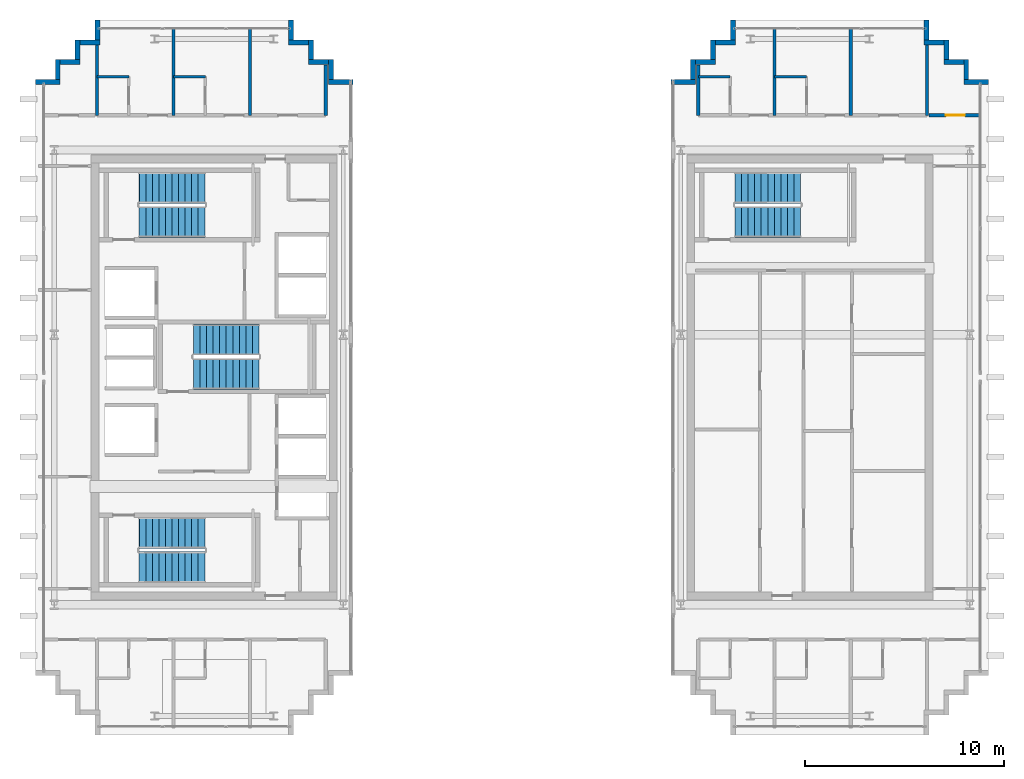
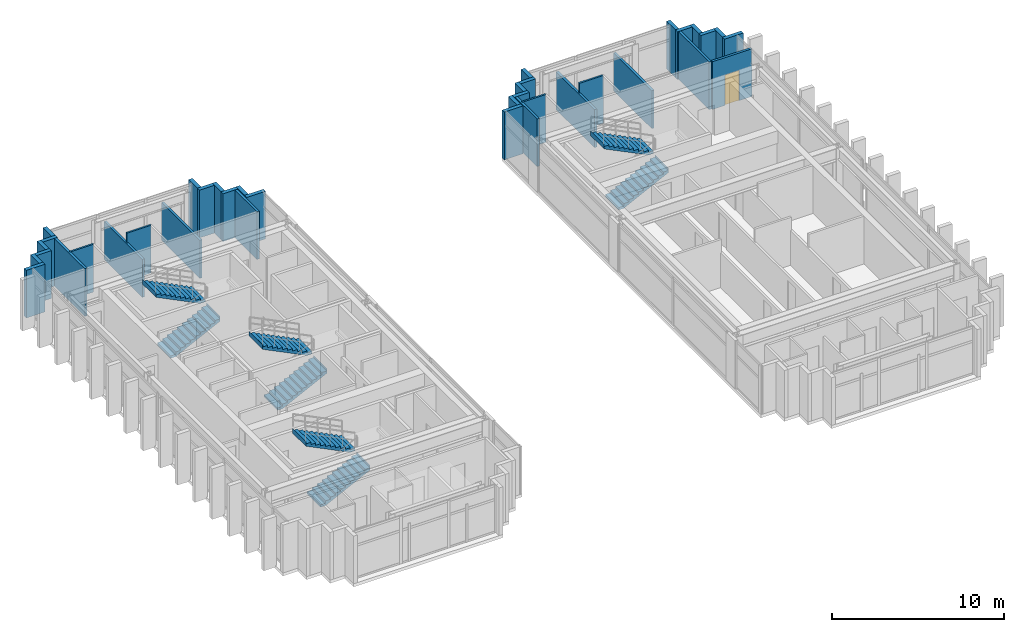
# One storey, part 23 of 25: 37 walls, 8 stair flights, 1 door, 1 opening, 4 elements without a shape of their own.
"""IFC4 building model written with IfcOpenShell, lengths in metres."""

from ifc_helpers import new_model, si_unit, direction, frame, frame_2d, origin, place, context, subcontext, project, spatial, polyline, rectangle, outline, extrude, source, transform, mapped, material, layer, layer_set, type_object, element, fill, aggregate, save


model = new_model("IFC4")

# Units and contexts
model_context = context("Model", 3, precision=1e-05, world=origin(), true_north=direction((0.0, 1.0)))
body_context = subcontext(model_context, "Body", "Model", "MODEL_VIEW")
ifc_project = project(units=[si_unit("LENGTHUNIT", "METRE"), si_unit("AREAUNIT", "SQUARE_METRE"), si_unit("VOLUMEUNIT", "CUBIC_METRE"), si_unit("PLANEANGLEUNIT", "RADIAN"), si_unit("MASSUNIT", "GRAM", prefix="KILO")], contexts=[model_context])

# Site, building, storey
site_placement = place(None, origin())
site = spatial("IfcSite", under=ifc_project, at=site_placement, CompositionType="ELEMENT")
building_placement = place(site_placement, origin())
building = spatial("IfcBuilding", under=site, at=building_placement, Name="Ocotamira Hotel", CompositionType="ELEMENT")
storey_placement = place(building_placement, frame((0.0, 0.0, 265.199951171875)))
storey = spatial("IfcBuildingStorey", under=building, at=storey_placement, Name="L67", CompositionType="ELEMENT", Elevation=265.199951171875)

# Walls
ifc_material_1 = material(Name="Precast concrete C45/55", Category="concrete")
ifc_layer_1 = layer(ifc_material_1, 0.25)
ifc_layer_set_1 = layer_set([ifc_layer_1], Name="Precast concrete C45/55")
wall_type_1 = type_object("IfcWallType", Name="WL-EXT-SER-250", PredefinedType="SOLIDWALL", material=ifc_layer_set_1)
wall_1_placement = place(storey_placement, frame((24.0, 40.875, 0.0), z_axis=(0.0, 0.0, 1.0), x_axis=(-1.0, 0.0, 0.0)))
element("IfcWall", 1, at=wall_1_placement, inside=storey, type_object=wall_type_1, Name="L67 -W Serrated Corner Wall 07", PredefinedType="SOLIDWALL", context=body_context, shape_type="SweptSolid", body=[
    extrude(rectangle(XDim=1.25, YDim=0.25, at=frame_2d((0.625, 0.0))), origin(), (0.0, 0.0, 1.0), 3.380126953125),
])
for number, where, z_axis, x_axis, name in (
    (2, (22.875, 41.0, 0.0), (0.0, 0.0, 1.0), (0.0, 1.0, 0.0), "L67 -W Serrated Corner Wall 08"),
    (3, (22.75, 41.875, 0.0), (0.0, 0.0, 1.0), (-1.0, 0.0, 0.0), "L67 -W Serrated Corner Wall 09"),
    (4, (21.875, 42.0, 0.0), (0.0, 0.0, 1.0), (0.0, 1.0, 0.0), "L67 -W Serrated Corner Wall 10"),
    (5, (21.75, 42.875, 0.0), (0.0, 0.0, 1.0), (-1.0, 0.0, 0.0), "L67 -W Serrated Corner Wall 11"),
    (6, (20.875, 43.0, 0.0), (0.0, 0.0, 1.0), (0.0, 1.0, 0.0), "L67 -W Serrated Corner Wall 12"),
    (7, (11.125, 44.0, 0.0), (0.0, 0.0, 1.0), (0.0, -1.0, 0.0), "L67 -W Serrated Corner Wall 13"),
    (8, (11.25, 42.875, 0.0), (0.0, 0.0, 1.0), (-1.0, 0.0, 0.0), "L67 -W Serrated Corner Wall 14"),
    (9, (10.125, 43.0, 0.0), (0.0, 0.0, 1.0), (0.0, -1.0, 0.0), "L67 -W Serrated Corner Wall 15"),
    (10, (10.25, 41.875, 0.0), (0.0, 0.0, 1.0), (-1.0, 0.0, 0.0), "L67 -W Serrated Corner Wall 16"),
    (11, (9.125, 42.0, 0.0), (0.0, 0.0, 1.0), (0.0, -1.0, 0.0), "L67 -W Serrated Corner Wall 17"),
):
    element("IfcWall", number, at=place(storey_placement, frame(where, z_axis=z_axis, x_axis=x_axis)), inside=storey, type_object=wall_type_1, Name=name, PredefinedType="SOLIDWALL", context=body_context, shape_type="SweptSolid", body=[
        extrude(rectangle(XDim=1.0, YDim=0.25, at=frame_2d((0.5, 0.0))), origin(), (0.0, 0.0, 1.0), 3.380126953125),
    ])
for number, where, z_axis, x_axis, name in (
    (12, (9.25, 40.875, 0.0), (0.0, 0.0, 1.0), (-1.0, 0.0, 0.0), "L67 -W Serrated Corner Wall 18"),
    (13, (56.0, 40.875, 0.0), (0.0, 0.0, 1.0), (-1.0, 0.0, 0.0), "L67 -E Serrated Corner Wall 07"),
):
    element("IfcWall", number, at=place(storey_placement, frame(where, z_axis=z_axis, x_axis=x_axis)), inside=storey, type_object=wall_type_1, Name=name, PredefinedType="SOLIDWALL", context=body_context, shape_type="SweptSolid", body=[
        extrude(rectangle(XDim=1.25, YDim=0.25, at=frame_2d((0.625, 0.0))), origin(), (0.0, 0.0, 1.0), 3.380126953125),
    ])
for number, where, z_axis, x_axis, name in (
    (14, (54.875, 41.0, 0.0), (0.0, 0.0, 1.0), (0.0, 1.0, 0.0), "L67 -E Serrated Corner Wall 08"),
    (15, (54.75, 41.875, 0.0), (0.0, 0.0, 1.0), (-1.0, 0.0, 0.0), "L67 -E Serrated Corner Wall 09"),
    (16, (53.875, 42.0, 0.0), (0.0, 0.0, 1.0), (0.0, 1.0, 0.0), "L67 -E Serrated Corner Wall 10"),
    (17, (53.75, 42.875, 0.0), (0.0, 0.0, 1.0), (-1.0, 0.0, 0.0), "L67 -E Serrated Corner Wall 11"),
    (18, (52.875, 43.0, 0.0), (0.0, 0.0, 1.0), (0.0, 1.0, 0.0), "L67 -E Serrated Corner Wall 12"),
    (19, (43.125, 44.0, 0.0), (0.0, 0.0, 1.0), (0.0, -1.0, 0.0), "L67 -E Serrated Corner Wall 13"),
    (20, (43.25, 42.875, 0.0), (0.0, 0.0, 1.0), (-1.0, 0.0, 0.0), "L67 -E Serrated Corner Wall 14"),
    (21, (42.125, 43.0, 0.0), (0.0, 0.0, 1.0), (0.0, -1.0, 0.0), "L67 -E Serrated Corner Wall 15"),
    (22, (42.25, 41.875, 0.0), (0.0, 0.0, 1.0), (-1.0, 0.0, 0.0), "L67 -E Serrated Corner Wall 16"),
    (23, (41.125, 42.0, 0.0), (0.0, 0.0, 1.0), (0.0, -1.0, 0.0), "L67 -E Serrated Corner Wall 17"),
):
    element("IfcWall", number, at=place(storey_placement, frame(where, z_axis=z_axis, x_axis=x_axis)), inside=storey, type_object=wall_type_1, Name=name, PredefinedType="SOLIDWALL", context=body_context, shape_type="SweptSolid", body=[
        extrude(rectangle(XDim=1.0, YDim=0.25, at=frame_2d((0.5, 0.0))), origin(), (0.0, 0.0, 1.0), 3.380126953125),
    ])
wall_2_placement = place(storey_placement, frame((41.25, 40.875, 0.0), z_axis=(0.0, 0.0, 1.0), x_axis=(-1.0, 0.0, 0.0)))
element("IfcWall", 24, at=wall_2_placement, inside=storey, type_object=wall_type_1, Name="L67 -E Serrated Corner Wall 18", PredefinedType="SOLIDWALL", context=body_context, shape_type="SweptSolid", body=[
    extrude(rectangle(XDim=1.25, YDim=0.25, at=frame_2d((0.625, 0.0))), origin(), (0.0, 0.0, 1.0), 3.380126953125),
])

# Wall, opening, door
ifc_material_2 = material(Name="Acoustic double-layer fire gypsum board partition", Category="gypsum")
ifc_layer_2 = layer(ifc_material_2, 0.159912109375)
ifc_layer_set_2 = layer_set([ifc_layer_2], Name="Acoustic double-layer fire gypsum board partition")
wall_type_2 = type_object("IfcWallType", Name="WL-FIRE-160", PredefinedType="PARTITIONING", material=ifc_layer_set_2)
wall_3_placement = place(storey_placement, frame((53.0, 39.199951171875, 0.0), z_axis=(0.0, 0.0, 1.0), x_axis=(1.0, 0.0, 0.0)))
wall_3 = element("IfcWall", 25, at=wall_3_placement, inside=storey, type_object=wall_type_2, Name="L67 Interior Wall PW-L67-SPCNE2-CW", PredefinedType="PARTITIONING", context=body_context, shape_type="SweptSolid", body=[
    extrude(rectangle(XDim=2.64990234375, YDim=0.159912109375, at=frame_2d((1.324951171875, 0.0))), origin(), (0.0, 0.0, 1.0), 3.380126953125),
])
opening_placement = place(wall_3_placement, frame((0.844970703125, 0.0, 0.0)))
opening = element("IfcOpeningElement", 26, at=opening_placement, cuts=wall_3, Name="Opening D-SV4", PredefinedType="OPENING", context=body_context, shape_type="SweptSolid", body=[
    extrude(rectangle(XDim=0.9599609375, YDim=2.14990234375, at=frame_2d((0.47998046875, 1.074951171875))), frame((0.0, 0.08984375, 0.0), z_axis=(0.0, -1.0, 0.0), x_axis=(1.0, 0.0, 0.0)), (0.0, 0.0, 1.0), 0.179931640625),
])
ifc_material_3 = material(Name="Fire-rated accessible walnut salon door", Category="wood")
door_type = type_object("IfcDoorType", Name="DR-SERV-960", OperationType="NOTDEFINED", PredefinedType="DOOR", material=ifc_material_3)
shared_shape_1 = source(origin(), body_context, "Body", "SweptSolid", [
    extrude(rectangle(XDim=0.9599609375, YDim=2.14990234375, at=frame_2d((0.47998046875, 1.074951171875))), frame((0.0, 0.02490234375, 0.0), z_axis=(0.0, -1.0, 0.0), x_axis=(1.0, 0.0, 0.0)), (0.0, 0.0, 1.0), 0.050048828125),
])
door_placement = place(opening_placement, origin())
door = element("IfcDoor", 27, at=door_placement, inside=storey, type_object=door_type, Name="L67 Door ID-L67-SPCNE2-CD [ID-L67-SPCNE2-CD]", OperationType="SINGLE_SWING_LEFT", OverallHeight=2.14990234375, OverallWidth=0.9599609375, PredefinedType="DOOR", context=body_context, shape_type="MappedRepresentation", body=[
    mapped(shared_shape_1, transform((0.0, 0.0, 0.0), scale=1.0)),
])
fill(opening, door)

# Walls
ifc_material_4 = material(Name="Moisture-resistant en-suite tile and gypsum partition", Category="gypsum")
ifc_layer_3 = layer(ifc_material_4, 0.1201171875)
ifc_layer_set_3 = layer_set([ifc_layer_3], Name="Moisture-resistant en-suite tile and gypsum partition")
wall_type_3 = type_object("IfcWallType", Name="WL-PART-120", PredefinedType="PARTITIONING", material=ifc_layer_set_3)
wall_4_placement = place(storey_placement, frame((11.10009765625, 41.14990234375, 0.0), z_axis=(0.0, 0.0, 1.0), x_axis=(1.0, 0.0, 0.0)))
element("IfcWall", 28, at=wall_4_placement, inside=storey, type_object=wall_type_3, Name="L67 Interior Wall PW-L67-SPW2N-BAN1", PredefinedType="PARTITIONING", context=body_context, shape_type="SweptSolid", body=[
    extrude(rectangle(XDim=1.60986328125, YDim=0.1201171875, at=frame_2d((0.804931640625, 0.0))), origin(), (0.0, 0.0, 1.0), 3.380126953125),
])
for number, where, z_axis, x_axis, name in (
    (29, (14.949951171875, 41.14990234375, 0.0), (0.0, 0.0, 1.0), (1.0, 0.0, 0.0), "L67 Interior Wall PW-L67-SPW2N-BAN2"),
    (30, (41.3798828125, 41.14990234375, 0.0), (0.0, 0.0, 1.0), (1.0, 0.0, 0.0), "L67 Interior Wall PW-L67-SPE2N-BAN1"),
    (31, (45.219970703125, 41.14990234375, 0.0), (0.0, 0.0, 1.0), (1.0, 0.0, 0.0), "L67 Interior Wall PW-L67-SPE2N-BAN2"),
):
    element("IfcWall", number, at=place(storey_placement, frame(where, z_axis=z_axis, x_axis=x_axis)), inside=storey, type_object=wall_type_3, Name=name, PredefinedType="PARTITIONING", context=body_context, shape_type="SweptSolid", body=[
        extrude(rectangle(XDim=1.610107421875, YDim=0.1201171875, at=frame_2d((0.80517578125, 0.0))), origin(), (0.0, 0.0, 1.0), 3.380126953125),
    ])
ifc_material_5 = material(Name="Acoustic double-stud hospitality gypsum partition", Category="gypsum")
ifc_layer_4 = layer(ifc_material_5, 0.159912109375)
ifc_layer_set_4 = layer_set([ifc_layer_4], Name="Acoustic double-stud hospitality gypsum partition")
wall_type_4 = type_object("IfcWallType", Name="WL-PART-160", PredefinedType="PARTITIONING", material=ifc_layer_set_4)
wall_5_placement = place(storey_placement, frame((11.10009765625, 39.199951171875, 0.0), z_axis=(0.0, 0.0, 1.0), x_axis=(0.0, 1.0, 0.0)))
element("IfcWall", 32, at=wall_5_placement, inside=storey, type_object=wall_type_4, Name="L67 Interior Wall PW-L67-SPW2N-PW0", PredefinedType="PARTITIONING", context=body_context, shape_type="SweptSolid", body=[
    extrude(rectangle(XDim=3.5400390625, YDim=0.159912109375, at=frame_2d((1.77001953125, 0.0))), origin(), (0.0, 0.0, 1.0), 3.380126953125),
])
wall_6_placement = place(storey_placement, frame((22.6201171875, 39.199951171875, 0.0), z_axis=(0.0, 0.0, 1.0), x_axis=(0.0, 1.0, 0.0)))
element("IfcWall", 33, at=wall_6_placement, inside=storey, type_object=wall_type_4, Name="L67 Interior Wall PW-L67-SPW2N-PWEND", PredefinedType="PARTITIONING", context=body_context, shape_type="SweptSolid", body=[
    extrude(rectangle(XDim=2.5400390625, YDim=0.159912109375, at=frame_2d((1.27001953125, 0.0))), origin(), (0.0, 0.0, 1.0), 3.380126953125),
])
for number, where, z_axis, x_axis, name in (
    (34, (14.949951171875, 39.199951171875, 0.0), (0.0, 0.0, 1.0), (0.0, 1.0, 0.0), "L67 Interior Wall PW-L67-SPW2N-PW1"),
    (35, (18.800048828125, 39.199951171875, 0.0), (0.0, 0.0, 1.0), (0.0, 1.0, 0.0), "L67 Interior Wall PW-L67-SPW2N-PW2"),
):
    element("IfcWall", number, at=place(storey_placement, frame(where, z_axis=z_axis, x_axis=x_axis)), inside=storey, type_object=wall_type_4, Name=name, PredefinedType="PARTITIONING", context=body_context, shape_type="SweptSolid", body=[
        extrude(rectangle(XDim=4.43994140625, YDim=0.159912109375, at=frame_2d((2.219970703125, 0.0))), origin(), (0.0, 0.0, 1.0), 2.68701171875),
    ])
wall_7_placement = place(storey_placement, frame((41.3798828125, 39.199951171875, 0.0), z_axis=(0.0, 0.0, 1.0), x_axis=(0.0, 1.0, 0.0)))
element("IfcWall", 36, at=wall_7_placement, inside=storey, type_object=wall_type_4, Name="L67 Interior Wall PW-L67-SPE2N-PW0", PredefinedType="PARTITIONING", context=body_context, shape_type="SweptSolid", body=[
    extrude(rectangle(XDim=2.5400390625, YDim=0.159912109375, at=frame_2d((1.27001953125, 0.0))), origin(), (0.0, 0.0, 1.0), 3.380126953125),
])
wall_8_placement = place(storey_placement, frame((52.89990234375, 39.199951171875, 0.0), z_axis=(0.0, 0.0, 1.0), x_axis=(0.0, 1.0, 0.0)))
element("IfcWall", 37, at=wall_8_placement, inside=storey, type_object=wall_type_4, Name="L67 Interior Wall PW-L67-SPE2N-PWEND", PredefinedType="PARTITIONING", context=body_context, shape_type="SweptSolid", body=[
    extrude(rectangle(XDim=3.5400390625, YDim=0.159912109375, at=frame_2d((1.77001953125, 0.0))), origin(), (0.0, 0.0, 1.0), 3.380126953125),
])
for number, where, z_axis, x_axis, name in (
    (38, (45.219970703125, 39.199951171875, 0.0), (0.0, 0.0, 1.0), (0.0, 1.0, 0.0), "L67 Interior Wall PW-L67-SPE2N-PW1"),
    (39, (49.06005859375, 39.199951171875, 0.0), (0.0, 0.0, 1.0), (0.0, 1.0, 0.0), "L67 Interior Wall PW-L67-SPE2N-PW2"),
):
    element("IfcWall", number, at=place(storey_placement, frame(where, z_axis=z_axis, x_axis=x_axis)), inside=storey, type_object=wall_type_4, Name=name, PredefinedType="PARTITIONING", context=body_context, shape_type="SweptSolid", body=[
        extrude(rectangle(XDim=4.43994140625, YDim=0.159912109375, at=frame_2d((2.219970703125, 0.0))), origin(), (0.0, 0.0, 1.0), 2.68701171875),
    ])

# Stair, stair flights
ifc_material_6 = material(Name="Concrete C40/50", Category="concrete")
stair_type = type_object("IfcStairType", Name="ST-CORE-1560", PredefinedType="HALF_TURN_STAIR", material=ifc_material_6)
stair_1_placement = place(storey_placement, origin())
stair_1 = element("IfcStair", 40, at=stair_1_placement, inside=storey, type_object=stair_type, Name="L67 Exit Stair ST-1", PredefinedType="HALF_TURN_STAIR")
stair_flight_type = type_object("IfcStairFlightType", Name="STF-CORE-1560", PredefinedType="STRAIGHT", material=ifc_material_6)
shared_shape_2 = source(origin(), body_context, "Body", "SweptSolid", [
    extrude(outline(polyline([(-0.00390625, 0.0), (-0.00390625, 0.16357421875), (0.330078125, 0.16357421875), (0.330078125, 0.327392578125), (0.659912109375, 0.327392578125), (0.659912109375, 0.490966796875), (0.989990234375, 0.490966796875), (0.989990234375, 0.654541015625), (1.320068359375, 0.654541015625), (1.320068359375, 0.818115234375), (1.64990234375, 0.818115234375), (1.64990234375, 0.98193359375), (1.97998046875, 0.98193359375), (1.97998046875, 1.1455078125), (2.31005859375, 1.1455078125), (2.31005859375, 1.30908203125), (2.639892578125, 1.30908203125), (2.639892578125, 1.47265625), (2.969970703125, 1.47265625), (2.969970703125, 1.636474609375), (3.300048828125, 1.636474609375), (3.300048828125, 1.800048828125), (3.303955078125, 1.800048828125), (3.303955078125, 1.468994140625), (0.33740234375, 0.0), (-0.00390625, 0.0)])), frame((0.0, 0.780029296875, 0.0), z_axis=(0.0, -1.0, 0.0), x_axis=(1.0, 0.0, 0.0)), (0.0, 0.0, 1.0), 1.56005859375),
])
stair_flight_1_placement = place(storey_placement, frame((13.22998046875, 16.449951171875, 0.0), z_axis=(0.0, 0.0, 1.0), x_axis=(1.0, 0.0, 0.0)))
stair_flight_1 = element("IfcStairFlight", 41, at=stair_flight_1_placement, type_object=stair_flight_type, Name="ST-1 flight 1", NumberOfRisers=11, NumberOfTreads=10, PredefinedType="STRAIGHT", RiserHeight=0.163636364, TreadLength=0.33, context=body_context, shape_type="MappedRepresentation", body=[
    mapped(shared_shape_2, transform((0.0, 0.0, 0.0), scale=1.0)),
])
stair_flight_2_placement = place(storey_placement, frame((16.530029296875, 18.169921875, 1.800048828125), z_axis=(0.0, 0.0, 1.0), x_axis=(-1.0, 0.0, 0.0)))
stair_flight_2 = element("IfcStairFlight", 42, at=stair_flight_2_placement, type_object=stair_flight_type, Name="ST-1 flight 2", NumberOfRisers=11, NumberOfTreads=10, PredefinedType="STRAIGHT", RiserHeight=0.163636364, TreadLength=0.33, context=body_context, shape_type="MappedRepresentation", body=[
    mapped(shared_shape_2, transform((0.0, 0.0, 0.0), scale=1.0)),
])
aggregate(stair_1, [stair_flight_1, stair_flight_2])

stair_2_placement = place(storey_placement, origin())
stair_2 = element("IfcStair", 43, at=stair_2_placement, inside=storey, type_object=stair_type, Name="L67 Exit Stair ST-2", PredefinedType="HALF_TURN_STAIR")
stair_flight_3_placement = place(storey_placement, frame((13.22998046875, 33.830078125, 0.0), z_axis=(0.0, 0.0, 1.0), x_axis=(1.0, 0.0, 0.0)))
stair_flight_3 = element("IfcStairFlight", 44, at=stair_flight_3_placement, type_object=stair_flight_type, Name="ST-2 flight 1", NumberOfRisers=11, NumberOfTreads=10, PredefinedType="STRAIGHT", RiserHeight=0.163636364, TreadLength=0.33, context=body_context, shape_type="MappedRepresentation", body=[
    mapped(shared_shape_2, transform((0.0, 0.0, 0.0), scale=1.0)),
])
stair_flight_4_placement = place(storey_placement, frame((16.530029296875, 35.550048828125, 1.800048828125), z_axis=(0.0, 0.0, 1.0), x_axis=(-1.0, 0.0, 0.0)))
stair_flight_4 = element("IfcStairFlight", 45, at=stair_flight_4_placement, type_object=stair_flight_type, Name="ST-2 flight 2", NumberOfRisers=11, NumberOfTreads=10, PredefinedType="STRAIGHT", RiserHeight=0.163636364, TreadLength=0.33, context=body_context, shape_type="MappedRepresentation", body=[
    mapped(shared_shape_2, transform((0.0, 0.0, 0.0), scale=1.0)),
])
aggregate(stair_2, [stair_flight_3, stair_flight_4])

stair_3_placement = place(storey_placement, origin())
stair_3 = element("IfcStair", 46, at=stair_3_placement, inside=storey, type_object=stair_type, Name="L67 Exit Stair ST-3", PredefinedType="HALF_TURN_STAIR")
stair_flight_5_placement = place(storey_placement, frame((15.9599609375, 26.179931640625, 0.0), z_axis=(0.0, 0.0, 1.0), x_axis=(1.0, 0.0, 0.0)))
stair_flight_5 = element("IfcStairFlight", 47, at=stair_flight_5_placement, type_object=stair_flight_type, Name="ST-3 flight 1", NumberOfRisers=11, NumberOfTreads=10, PredefinedType="STRAIGHT", RiserHeight=0.163636364, TreadLength=0.33, context=body_context, shape_type="MappedRepresentation", body=[
    mapped(shared_shape_2, transform((0.0, 0.0, 0.0), scale=1.0)),
])
stair_flight_6_placement = place(storey_placement, frame((19.260009765625, 27.89990234375, 1.800048828125), z_axis=(0.0, 0.0, 1.0), x_axis=(-1.0, 0.0, 0.0)))
stair_flight_6 = element("IfcStairFlight", 48, at=stair_flight_6_placement, type_object=stair_flight_type, Name="ST-3 flight 2", NumberOfRisers=11, NumberOfTreads=10, PredefinedType="STRAIGHT", RiserHeight=0.163636364, TreadLength=0.33, context=body_context, shape_type="MappedRepresentation", body=[
    mapped(shared_shape_2, transform((0.0, 0.0, 0.0), scale=1.0)),
])
aggregate(stair_3, [stair_flight_5, stair_flight_6])

stair_4_placement = place(storey_placement, origin())
stair_4 = element("IfcStair", 49, at=stair_4_placement, inside=storey, type_object=stair_type, Name="L67 Exit Stair ST-4", PredefinedType="HALF_TURN_STAIR")
stair_flight_7_placement = place(storey_placement, frame((43.22998046875, 33.830078125, 0.0), z_axis=(0.0, 0.0, 1.0), x_axis=(1.0, 0.0, 0.0)))
stair_flight_7 = element("IfcStairFlight", 50, at=stair_flight_7_placement, type_object=stair_flight_type, Name="ST-4 flight 1", NumberOfRisers=11, NumberOfTreads=10, PredefinedType="STRAIGHT", RiserHeight=0.163636364, TreadLength=0.33, context=body_context, shape_type="MappedRepresentation", body=[
    mapped(shared_shape_2, transform((0.0, 0.0, 0.0), scale=1.0)),
])
stair_flight_8_placement = place(storey_placement, frame((46.530029296875, 35.550048828125, 1.800048828125), z_axis=(0.0, 0.0, 1.0), x_axis=(-1.0, 0.0, 0.0)))
stair_flight_8 = element("IfcStairFlight", 51, at=stair_flight_8_placement, type_object=stair_flight_type, Name="ST-4 flight 2", NumberOfRisers=11, NumberOfTreads=10, PredefinedType="STRAIGHT", RiserHeight=0.163636364, TreadLength=0.33, context=body_context, shape_type="MappedRepresentation", body=[
    mapped(shared_shape_2, transform((0.0, 0.0, 0.0), scale=1.0)),
])
aggregate(stair_4, [stair_flight_7, stair_flight_8])

save(model, "model.ifc")
